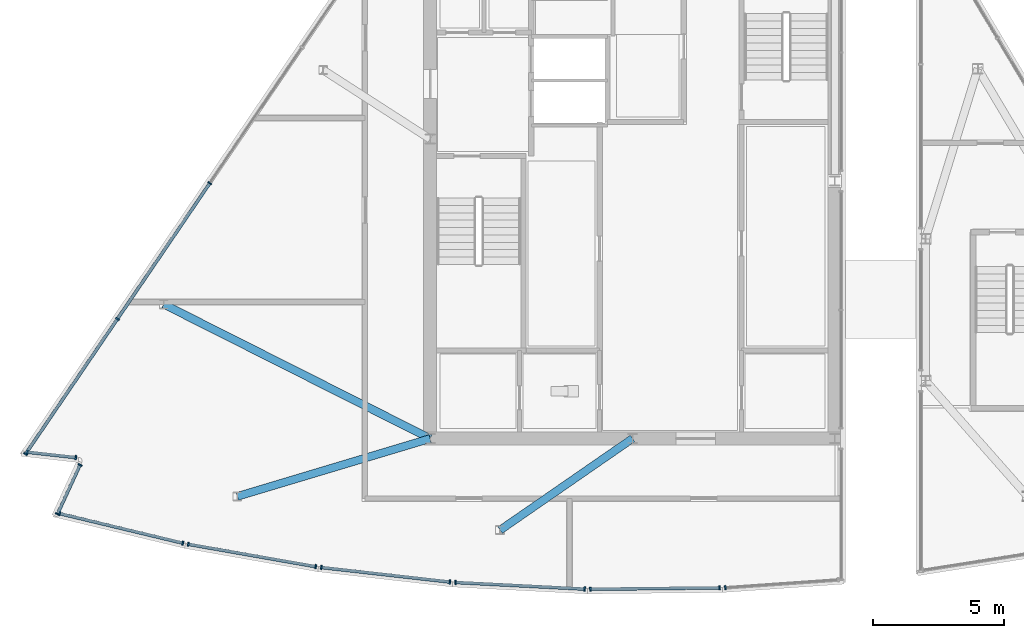
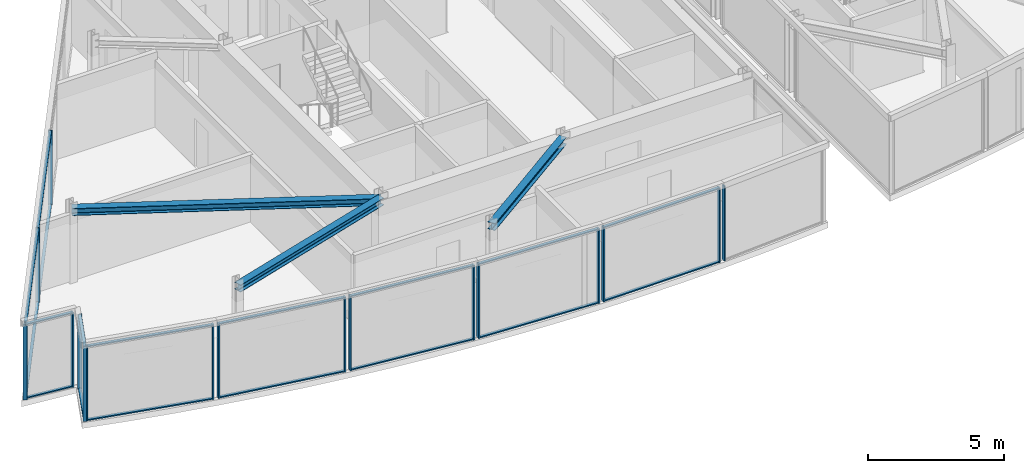
# One storey, part 3 of 15: 36 members, 3 beams, 9 elements without a shape of their own.
"""IFC4 building model written with IfcOpenShell, lengths in metres."""

from ifc_helpers import new_model, si_unit, direction, frame, origin, origin_2d, place, context, subcontext, project, spatial, rectangle, i_section, extrude, material, material_profile, profile_set, type_object, element, aggregate, save


model = new_model("IFC4")

# Units and contexts
model_context = context("Model", 3, precision=1e-05, world=origin(), true_north=direction((0.0, 1.0)))
body_context = subcontext(model_context, "Body", "Model", "MODEL_VIEW")
ifc_project = project(units=[si_unit("LENGTHUNIT", "METRE"), si_unit("AREAUNIT", "SQUARE_METRE"), si_unit("VOLUMEUNIT", "CUBIC_METRE"), si_unit("PLANEANGLEUNIT", "RADIAN"), si_unit("MASSUNIT", "GRAM", prefix="KILO")], contexts=[model_context])

# Site, building, storey
site_placement = place(None, origin())
site = spatial("IfcSite", under=ifc_project, at=site_placement, CompositionType="ELEMENT")
building_placement = place(site_placement, origin())
building = spatial("IfcBuilding", under=site, at=building_placement, Name="Savorim Split Tower", CompositionType="ELEMENT")
storey_placement = place(building_placement, frame((0.0, 0.0, 301.199951171875)))
storey = spatial("IfcBuildingStorey", under=building, at=storey_placement, Name="Crown L80 Plant", CompositionType="ELEMENT", Elevation=301.199951171875)

# Beams
ifc_material_1 = material(Name="Steel S355", Category="steel")
ifc_material_profile_1 = material_profile(ifc_material_1, i_section(OverallWidth=0.300048828125, OverallDepth=0.320068359375, WebThickness=0.011474609375, FlangeThickness=0.0205078125, FilletRadius=0.027099609375, at=origin_2d()), Name="HEB 320")
ifc_profile_set_1 = profile_set([ifc_material_profile_1], Name="Steel S355")
beam_type = type_object("IfcBeamType", Name="BM-PRI-HEB320", PredefinedType="BEAM", material=ifc_profile_set_1)
beam_1_placement = place(storey_placement, frame((-15.037109375, -11.6015625, 3.179931640625), z_axis=(0.957807862617, 0.287409287096, 0.0), x_axis=(-0.287409287096, 0.957807862617, 0.0)))
element("IfcBeam", 1, at=beam_1_placement, inside=storey, type_object=beam_type, Name="Crown L80 Plant West Crown Beam WBG-1", PredefinedType="BEAM", context=body_context, shape_type="SweptSolid", body=[
    extrude(i_section(OverallWidth=0.300048828125, OverallDepth=0.320068359375, WebThickness=0.011474609375, FlangeThickness=0.0205078125, FilletRadius=0.027099609375, at=origin_2d()), origin(), (0.0, 0.0, 1.0), 7.660400390625),
])
beam_2_placement = place(storey_placement, frame((-5.039794921875, -12.885009765625, 3.179931640625), z_axis=(0.82249616242, 0.568770659233, 0.0), x_axis=(-0.568770659233, 0.82249616242, 0.0)))
element("IfcBeam", 2, at=beam_2_placement, inside=storey, type_object=beam_type, Name="Crown L80 Plant West Crown Beam WBG-2", PredefinedType="BEAM", context=body_context, shape_type="SweptSolid", body=[
    extrude(i_section(OverallWidth=0.300048828125, OverallDepth=0.320068359375, WebThickness=0.011474609375, FlangeThickness=0.0205078125, FilletRadius=0.027099609375, at=origin_2d()), origin(), (0.0, 0.0, 1.0), 6.12744140625),
])
beam_3_placement = place(storey_placement, frame((-17.84033203125, -4.288818359375, 3.179931640625), z_axis=(0.892982084202, -0.450092209769, 0.0), x_axis=(0.450092209769, 0.892982084202, 0.0)))
element("IfcBeam", 3, at=beam_3_placement, inside=storey, type_object=beam_type, Name="Crown L80 Plant West Crown Beam WBG-3", PredefinedType="BEAM", context=body_context, shape_type="SweptSolid", body=[
    extrude(i_section(OverallWidth=0.300048828125, OverallDepth=0.320068359375, WebThickness=0.011474609375, FlangeThickness=0.0205078125, FilletRadius=0.027099609375, at=origin_2d()), origin(), (0.0, 0.0, 1.0), 11.355712890625),
])

# Curtain wall, members
ifc_material_2 = material(Name="Dark Ceramic-Fritted Insulated Glass", Category="glass")
curtain_wall_type = type_object("IfcCurtainWallType", Name="CW-CROWN-CREST", PredefinedType="NOTDEFINED", material=ifc_material_2)
curtain_wall_1_placement = place(storey_placement, origin())
curtain_wall_1 = element("IfcCurtainWall", 4, at=curtain_wall_1_placement, inside=storey, type_object=curtain_wall_type, Name="Crown L80 Plant Curtain Wall CW-Crown-L80-Plant-W5A", PredefinedType="NOTDEFINED")
ifc_material_3 = material(Name="Charcoal Anodised Aluminium", Category="aluminium")
ifc_material_profile_2 = material_profile(ifc_material_3, rectangle(XDim=0.159912109375, YDim=0.06005859375, at=origin_2d()), Name="ALU-M 160x60")
ifc_profile_set_2 = profile_set([ifc_material_profile_2], Name="Charcoal Anodised Aluminium")
member_type_1 = type_object("IfcMemberType", Name="CWM-160x60", PredefinedType="MULLION", material=ifc_profile_set_2)
member_1_placement = place(storey_placement, frame((-16.08740234375, 0.319580078125, 0.0), z_axis=(0.0, 0.0, 1.0), x_axis=(0.826821213744, -0.562464826014, 0.0)))
member_1 = element("IfcMember", 5, at=member_1_placement, type_object=member_type_1, Name="CW-07 mullion 5", PredefinedType="MULLION", context=body_context, shape_type="SweptSolid", body=[
    extrude(rectangle(XDim=0.159912109375, YDim=0.06005859375, at=origin_2d()), origin(), (0.0, 0.0, 1.0), 3.340087890625),
])
member_2_placement = place(storey_placement, frame((-19.60205078125, -4.8466796875, 0.0), z_axis=(0.0, 0.0, 1.0), x_axis=(0.826821213744, -0.562464826014, 0.0)))
member_2 = element("IfcMember", 6, at=member_2_placement, type_object=member_type_1, Name="CW-07 mullion 6", PredefinedType="MULLION", context=body_context, shape_type="SweptSolid", body=[
    extrude(rectangle(XDim=0.159912109375, YDim=0.06005859375, at=origin_2d()), origin(), (0.0, 0.0, 1.0), 3.340087890625),
])
member_3_placement = place(storey_placement, frame((-23.099609375, -9.98828125, 0.0), z_axis=(0.0, 0.0, 1.0), x_axis=(0.826821213744, -0.562464826014, 0.0)))
member_3 = element("IfcMember", 7, at=member_3_placement, type_object=member_type_1, Name="CW-07 mullion 7", PredefinedType="MULLION", context=body_context, shape_type="SweptSolid", body=[
    extrude(rectangle(XDim=0.159912109375, YDim=0.06005859375, at=origin_2d()), origin(), (0.0, 0.0, 1.0), 3.340087890625),
])

curtain_wall_2_placement = place(storey_placement, origin())
curtain_wall_2 = element("IfcCurtainWall", 8, at=curtain_wall_2_placement, inside=storey, type_object=curtain_wall_type, Name="Crown L80 Plant Curtain Wall CW-Crown-L80-Plant-W6A", PredefinedType="NOTDEFINED")
member_4_placement = place(storey_placement, frame((-23.03369140625, -9.91650390625, 0.0), z_axis=(0.0, 0.0, 1.0), x_axis=(0.110957272158, 0.993825177662, 0.0)))
member_4 = element("IfcMember", 9, at=member_4_placement, type_object=member_type_1, Name="CW-07 mullion 1", PredefinedType="MULLION", context=body_context, shape_type="SweptSolid", body=[
    extrude(rectangle(XDim=0.159912109375, YDim=0.06005859375, at=origin_2d()), origin(), (0.0, 0.0, 1.0), 3.340087890625),
])
member_5_placement = place(storey_placement, frame((-21.1845703125, -10.122802734375, 0.0), z_axis=(0.0, 0.0, 1.0), x_axis=(0.110957272158, 0.993825177662, 0.0)))
member_5 = element("IfcMember", 10, at=member_5_placement, type_object=member_type_1, Name="CW-07 mullion 2", PredefinedType="MULLION", context=body_context, shape_type="SweptSolid", body=[
    extrude(rectangle(XDim=0.159912109375, YDim=0.06005859375, at=origin_2d()), origin(), (0.0, 0.0, 1.0), 3.340087890625),
])

curtain_wall_3_placement = place(storey_placement, origin())
curtain_wall_3 = element("IfcCurtainWall", 11, at=curtain_wall_3_placement, inside=storey, type_object=curtain_wall_type, Name="Crown L80 Plant Curtain Wall CW-Crown-L80-Plant-W7A", PredefinedType="NOTDEFINED")
member_6_placement = place(storey_placement, frame((-21.025634765625, -10.404296875, 0.0), z_axis=(0.0, 0.0, 1.0), x_axis=(0.908683146022, -0.417486455033, 0.0)))
member_6 = element("IfcMember", 12, at=member_6_placement, type_object=member_type_1, Name="CW-07 mullion 1", PredefinedType="MULLION", context=body_context, shape_type="SweptSolid", body=[
    extrude(rectangle(XDim=0.159912109375, YDim=0.06005859375, at=origin_2d()), origin(), (0.0, 0.0, 1.0), 3.340087890625),
])
member_7_placement = place(storey_placement, frame((-21.883544921875, -12.271728515625, 0.0), z_axis=(0.0, 0.0, 1.0), x_axis=(0.908683146022, -0.417486455033, 0.0)))
member_7 = element("IfcMember", 13, at=member_7_placement, type_object=member_type_1, Name="CW-07 mullion 2", PredefinedType="MULLION", context=body_context, shape_type="SweptSolid", body=[
    extrude(rectangle(XDim=0.159912109375, YDim=0.06005859375, at=origin_2d()), origin(), (0.0, 0.0, 1.0), 3.340087890625),
])

curtain_wall_4_placement = place(storey_placement, origin())
curtain_wall_4 = element("IfcCurtainWall", 14, at=curtain_wall_4_placement, inside=storey, type_object=curtain_wall_type, Name="Crown L80 Plant Curtain Wall CW-Crown-L80-Plant-W8A", PredefinedType="NOTDEFINED")
member_8_placement = place(storey_placement, frame((-21.80126953125, -12.255126953125, 0.0), z_axis=(0.0, 0.0, 1.0), x_axis=(0.233156731313, 0.972439169637, 0.0)))
member_8 = element("IfcMember", 15, at=member_8_placement, type_object=member_type_1, Name="CW-07 mullion 1", PredefinedType="MULLION", context=body_context, shape_type="SweptSolid", body=[
    extrude(rectangle(XDim=0.159912109375, YDim=0.06005859375, at=origin_2d()), origin(), (0.0, 0.0, 1.0), 3.340087890625),
])
member_9_placement = place(storey_placement, frame((-17.11376953125, -13.37890625, 0.0), z_axis=(0.0, 0.0, 1.0), x_axis=(0.233156731313, 0.972439169637, 0.0)))
member_9 = element("IfcMember", 16, at=member_9_placement, type_object=member_type_1, Name="CW-07 mullion 2", PredefinedType="MULLION", context=body_context, shape_type="SweptSolid", body=[
    extrude(rectangle(XDim=0.159912109375, YDim=0.06005859375, at=origin_2d()), origin(), (0.0, 0.0, 1.0), 3.340087890625),
])

curtain_wall_5_placement = place(storey_placement, origin())
curtain_wall_5 = element("IfcCurtainWall", 17, at=curtain_wall_5_placement, inside=storey, type_object=curtain_wall_type, Name="Crown L80 Plant Curtain Wall CW-Crown-L80-Plant-W9A", PredefinedType="NOTDEFINED")
member_10_placement = place(storey_placement, frame((-16.90576171875, -13.422119140625, 0.0), z_axis=(0.0, 0.0, 1.0), x_axis=(0.173060975402, 0.984911112128, 0.0)))
member_10 = element("IfcMember", 18, at=member_10_placement, type_object=member_type_1, Name="CW-07 mullion 1", PredefinedType="MULLION", context=body_context, shape_type="SweptSolid", body=[
    extrude(rectangle(XDim=0.159912109375, YDim=0.06005859375, at=origin_2d()), origin(), (0.0, 0.0, 1.0), 3.340087890625),
])
member_11_placement = place(storey_placement, frame((-12.054443359375, -14.274658203125, 0.0), z_axis=(0.0, 0.0, 1.0), x_axis=(0.173060975402, 0.984911112128, 0.0)))
member_11 = element("IfcMember", 19, at=member_11_placement, type_object=member_type_1, Name="CW-07 mullion 2", PredefinedType="MULLION", context=body_context, shape_type="SweptSolid", body=[
    extrude(rectangle(XDim=0.159912109375, YDim=0.06005859375, at=origin_2d()), origin(), (0.0, 0.0, 1.0), 3.340087890625),
])

curtain_wall_6_placement = place(storey_placement, origin())
curtain_wall_6 = element("IfcCurtainWall", 20, at=curtain_wall_6_placement, inside=storey, type_object=curtain_wall_type, Name="Crown L80 Plant Curtain Wall CW-Crown-L80-Plant-W10A", PredefinedType="NOTDEFINED")
member_12_placement = place(storey_placement, frame((-11.843994140625, -14.304931640625, 0.0), z_axis=(0.0, 0.0, 1.0), x_axis=(0.112326840679, 0.9936713143, 0.0)))
member_12 = element("IfcMember", 21, at=member_12_placement, type_object=member_type_1, Name="CW-07 mullion 1", PredefinedType="MULLION", context=body_context, shape_type="SweptSolid", body=[
    extrude(rectangle(XDim=0.159912109375, YDim=0.06005859375, at=origin_2d()), origin(), (0.0, 0.0, 1.0), 3.340087890625),
])
member_13_placement = place(storey_placement, frame((-6.94970703125, -14.858154296875, 0.0), z_axis=(0.0, 0.0, 1.0), x_axis=(0.112326840679, 0.9936713143, 0.0)))
member_13 = element("IfcMember", 22, at=member_13_placement, type_object=member_type_1, Name="CW-07 mullion 2", PredefinedType="MULLION", context=body_context, shape_type="SweptSolid", body=[
    extrude(rectangle(XDim=0.159912109375, YDim=0.06005859375, at=origin_2d()), origin(), (0.0, 0.0, 1.0), 3.340087890625),
])

curtain_wall_7_placement = place(storey_placement, origin())
curtain_wall_7 = element("IfcCurtainWall", 23, at=curtain_wall_7_placement, inside=storey, type_object=curtain_wall_type, Name="Crown L80 Plant Curtain Wall CW-Crown-L80-Plant-W11A", PredefinedType="NOTDEFINED")
member_14_placement = place(storey_placement, frame((-6.738037109375, -14.87548828125, 0.0), z_axis=(0.0, 0.0, 1.0), x_axis=(0.051149091619, 0.99869102851, 0.0)))
member_14 = element("IfcMember", 24, at=member_14_placement, type_object=member_type_1, Name="CW-07 mullion 1", PredefinedType="MULLION", context=body_context, shape_type="SweptSolid", body=[
    extrude(rectangle(XDim=0.159912109375, YDim=0.06005859375, at=origin_2d()), origin(), (0.0, 0.0, 1.0), 3.340087890625),
])
member_15_placement = place(storey_placement, frame((-1.819091796875, -15.12744140625, 0.0), z_axis=(0.0, 0.0, 1.0), x_axis=(0.051149091619, 0.99869102851, 0.0)))
member_15 = element("IfcMember", 25, at=member_15_placement, type_object=member_type_1, Name="CW-07 mullion 2", PredefinedType="MULLION", context=body_context, shape_type="SweptSolid", body=[
    extrude(rectangle(XDim=0.159912109375, YDim=0.06005859375, at=origin_2d()), origin(), (0.0, 0.0, 1.0), 3.340087890625),
])

curtain_wall_8_placement = place(storey_placement, origin())
curtain_wall_8 = element("IfcCurtainWall", 26, at=curtain_wall_8_placement, inside=storey, type_object=curtain_wall_type, Name="Crown L80 Plant Curtain Wall CW-Crown-L80-Plant-W12A", PredefinedType="NOTDEFINED")
member_16_placement = place(storey_placement, frame((-1.6064453125, -15.131591796875, 0.0), z_axis=(0.0, 0.0, 1.0), x_axis=(-0.010229746323, 0.999947674776, 0.0)))
member_16 = element("IfcMember", 27, at=member_16_placement, type_object=member_type_1, Name="CW-07 mullion 1", PredefinedType="MULLION", context=body_context, shape_type="SweptSolid", body=[
    extrude(rectangle(XDim=0.159912109375, YDim=0.06005859375, at=origin_2d()), origin(), (0.0, 0.0, 1.0), 3.340087890625),
])
member_17_placement = place(storey_placement, frame((3.318603515625, -15.081298828125, 0.0), z_axis=(0.0, 0.0, 1.0), x_axis=(-0.010229746323, 0.999947674776, 0.0)))
member_17 = element("IfcMember", 28, at=member_17_placement, type_object=member_type_1, Name="CW-07 mullion 2", PredefinedType="MULLION", context=body_context, shape_type="SweptSolid", body=[
    extrude(rectangle(XDim=0.159912109375, YDim=0.06005859375, at=origin_2d()), origin(), (0.0, 0.0, 1.0), 3.340087890625),
])

# Curtain wall, member
curtain_wall_9_placement = place(storey_placement, origin())
curtain_wall_9 = element("IfcCurtainWall", 29, at=curtain_wall_9_placement, inside=storey, type_object=curtain_wall_type, Name="Crown L80 Plant Curtain Wall CW-Crown-L80-Plant-W13A", PredefinedType="NOTDEFINED")
member_18_placement = place(storey_placement, frame((3.53125, -15.07275390625, 0.0), z_axis=(0.0, 0.0, 1.0), x_axis=(-0.069280764346, 0.997597201125, 0.0)))
member_18 = element("IfcMember", 30, at=member_18_placement, type_object=member_type_1, Name="CW-07 mullion 1", PredefinedType="MULLION", context=body_context, shape_type="SweptSolid", body=[
    extrude(rectangle(XDim=0.159912109375, YDim=0.06005859375, at=origin_2d()), origin(), (0.0, 0.0, 1.0), 3.340087890625),
])
aggregate(curtain_wall_9, [member_18])

# Member
ifc_material_profile_3 = material_profile(ifc_material_3, rectangle(XDim=0.1201171875, YDim=0.050048828125, at=origin_2d()), Name="ALU-T 120x50")
ifc_profile_set_3 = profile_set([ifc_material_profile_3], Name="Charcoal Anodised Aluminium")
member_type_2 = type_object("IfcMemberType", Name="CWT-120x50", PredefinedType="USERDEFINED", material=ifc_profile_set_3)
member_19_placement = place(storey_placement, frame((-16.104248046875, 0.294677734375, 0.025146484375), z_axis=(-0.562460005543, -0.826824492963, 0.0), x_axis=(0.826824492963, -0.562460005543, 0.0)))
member_19 = element("IfcMember", 31, at=member_19_placement, type_object=member_type_2, Name="CW-07 transom 5.1", ObjectType="TRANSOM", PredefinedType="USERDEFINED", context=body_context, shape_type="SweptSolid", body=[
    extrude(rectangle(XDim=0.1201171875, YDim=0.050048828125, at=origin_2d()), origin(), (0.0, 0.0, 1.0), 6.1884765625),
])

member_20_placement = place(storey_placement, frame((-16.104248046875, 0.294677734375, 3.31494140625), z_axis=(-0.562460005543, -0.826824492963, 0.0), x_axis=(0.826824492963, -0.562460005543, 0.0)))
member_20 = element("IfcMember", 32, at=member_20_placement, type_object=member_type_2, Name="CW-07 transom 5.2", ObjectType="TRANSOM", PredefinedType="USERDEFINED", context=body_context, shape_type="SweptSolid", body=[
    extrude(rectangle(XDim=0.1201171875, YDim=0.050048828125, at=origin_2d()), origin(), (0.0, 0.0, 1.0), 6.1884765625),
])

member_21_placement = place(storey_placement, frame((-19.618896484375, -4.87158203125, 0.025146484375), z_axis=(-0.562452059252, -0.826829898494, 0.0), x_axis=(0.826829898494, -0.562452059252, 0.0)))
member_21 = element("IfcMember", 33, at=member_21_placement, type_object=member_type_2, Name="CW-07 transom 6.1", ObjectType="TRANSOM", PredefinedType="USERDEFINED", context=body_context, shape_type="SweptSolid", body=[
    extrude(rectangle(XDim=0.1201171875, YDim=0.050048828125, at=origin_2d()), origin(), (0.0, 0.0, 1.0), 6.158447265625),
])

member_22_placement = place(storey_placement, frame((-19.618896484375, -4.87158203125, 3.31494140625), z_axis=(-0.562452059252, -0.826829898494, 0.0), x_axis=(0.826829898494, -0.562452059252, 0.0)))
member_22 = element("IfcMember", 34, at=member_22_placement, type_object=member_type_2, Name="CW-07 transom 6.2", ObjectType="TRANSOM", PredefinedType="USERDEFINED", context=body_context, shape_type="SweptSolid", body=[
    extrude(rectangle(XDim=0.1201171875, YDim=0.050048828125, at=origin_2d()), origin(), (0.0, 0.0, 1.0), 6.158447265625),
])

aggregate(curtain_wall_1, [member_1, member_2, member_3, member_19, member_20, member_21, member_22])

member_23_placement = place(storey_placement, frame((-23.00390625, -9.919677734375, 0.025146484375), z_axis=(0.993815756426, -0.111041624081, 0.0), x_axis=(0.111041624081, 0.993815756426, 0.0)))
member_23 = element("IfcMember", 35, at=member_23_placement, type_object=member_type_2, Name="CW-07 transom 1.1", ObjectType="TRANSOM", PredefinedType="USERDEFINED", context=body_context, shape_type="SweptSolid", body=[
    extrude(rectangle(XDim=0.1201171875, YDim=0.050048828125, at=origin_2d()), origin(), (0.0, 0.0, 1.0), 1.80078125),
])

member_24_placement = place(storey_placement, frame((-23.00390625, -9.919677734375, 3.31494140625), z_axis=(0.993815756426, -0.111041624081, 0.0), x_axis=(0.111041624081, 0.993815756426, 0.0)))
member_24 = element("IfcMember", 36, at=member_24_placement, type_object=member_type_2, Name="CW-07 transom 1.2", ObjectType="TRANSOM", PredefinedType="USERDEFINED", context=body_context, shape_type="SweptSolid", body=[
    extrude(rectangle(XDim=0.1201171875, YDim=0.050048828125, at=origin_2d()), origin(), (0.0, 0.0, 1.0), 1.80078125),
])

aggregate(curtain_wall_2, [member_4, member_5, member_23, member_24])

member_25_placement = place(storey_placement, frame((-21.0380859375, -10.431640625, 0.025146484375), z_axis=(-0.417451010756, -0.908699429745, 0.0), x_axis=(0.908699429745, -0.417451010756, 0.0)))
member_25 = element("IfcMember", 37, at=member_25_placement, type_object=member_type_2, Name="CW-07 transom 1.1", ObjectType="TRANSOM", PredefinedType="USERDEFINED", context=body_context, shape_type="SweptSolid", body=[
    extrude(rectangle(XDim=0.1201171875, YDim=0.050048828125, at=origin_2d()), origin(), (0.0, 0.0, 1.0), 1.994873046875),
])

member_26_placement = place(storey_placement, frame((-21.0380859375, -10.431640625, 3.31494140625), z_axis=(-0.417451010756, -0.908699429745, 0.0), x_axis=(0.908699429745, -0.417451010756, 0.0)))
member_26 = element("IfcMember", 38, at=member_26_placement, type_object=member_type_2, Name="CW-07 transom 1.2", ObjectType="TRANSOM", PredefinedType="USERDEFINED", context=body_context, shape_type="SweptSolid", body=[
    extrude(rectangle(XDim=0.1201171875, YDim=0.050048828125, at=origin_2d()), origin(), (0.0, 0.0, 1.0), 1.994873046875),
])

aggregate(curtain_wall_3, [member_6, member_7, member_25, member_26])

member_27_placement = place(storey_placement, frame((-21.772216796875, -12.26220703125, 0.025146484375), z_axis=(0.972441277958, -0.233147937851, 0.0), x_axis=(0.233147937851, 0.972441277958, 0.0)))
member_27 = element("IfcMember", 39, at=member_27_placement, type_object=member_type_2, Name="CW-07 transom 1.1", ObjectType="TRANSOM", PredefinedType="USERDEFINED", context=body_context, shape_type="SweptSolid", body=[
    extrude(rectangle(XDim=0.1201171875, YDim=0.050048828125, at=origin_2d()), origin(), (0.0, 0.0, 1.0), 4.76025390625),
])

member_28_placement = place(storey_placement, frame((-21.772216796875, -12.26220703125, 3.31494140625), z_axis=(0.972441277958, -0.233147937851, 0.0), x_axis=(0.233147937851, 0.972441277958, 0.0)))
member_28 = element("IfcMember", 40, at=member_28_placement, type_object=member_type_2, Name="CW-07 transom 1.2", ObjectType="TRANSOM", PredefinedType="USERDEFINED", context=body_context, shape_type="SweptSolid", body=[
    extrude(rectangle(XDim=0.1201171875, YDim=0.050048828125, at=origin_2d()), origin(), (0.0, 0.0, 1.0), 4.76025390625),
])

aggregate(curtain_wall_4, [member_8, member_9, member_27, member_28])

member_29_placement = place(storey_placement, frame((-16.876220703125, -13.427490234375, 0.025146484375), z_axis=(0.984911593719, -0.173058234588, 0.0), x_axis=(0.173058234588, 0.984911593719, 0.0)))
member_29 = element("IfcMember", 41, at=member_29_placement, type_object=member_type_2, Name="CW-07 transom 1.1", ObjectType="TRANSOM", PredefinedType="USERDEFINED", context=body_context, shape_type="SweptSolid", body=[
    extrude(rectangle(XDim=0.1201171875, YDim=0.050048828125, at=origin_2d()), origin(), (0.0, 0.0, 1.0), 4.86572265625),
])

member_30_placement = place(storey_placement, frame((-16.876220703125, -13.427490234375, 3.31494140625), z_axis=(0.984911593719, -0.173058234588, 0.0), x_axis=(0.173058234588, 0.984911593719, 0.0)))
member_30 = element("IfcMember", 42, at=member_30_placement, type_object=member_type_2, Name="CW-07 transom 1.2", ObjectType="TRANSOM", PredefinedType="USERDEFINED", context=body_context, shape_type="SweptSolid", body=[
    extrude(rectangle(XDim=0.1201171875, YDim=0.050048828125, at=origin_2d()), origin(), (0.0, 0.0, 1.0), 4.86572265625),
])

aggregate(curtain_wall_5, [member_10, member_11, member_29, member_30])

member_31_placement = place(storey_placement, frame((-11.814208984375, -14.308349609375, 0.025146484375), z_axis=(0.993673905175, -0.112303918785, 0.0), x_axis=(0.112303918785, 0.993673905175, 0.0)))
member_31 = element("IfcMember", 43, at=member_31_placement, type_object=member_type_2, Name="CW-07 transom 1.1", ObjectType="TRANSOM", PredefinedType="USERDEFINED", context=body_context, shape_type="SweptSolid", body=[
    extrude(rectangle(XDim=0.1201171875, YDim=0.050048828125, at=origin_2d()), origin(), (0.0, 0.0, 1.0), 4.865234375),
])

member_32_placement = place(storey_placement, frame((-11.814208984375, -14.308349609375, 3.31494140625), z_axis=(0.993673905175, -0.112303918785, 0.0), x_axis=(0.112303918785, 0.993673905175, 0.0)))
member_32 = element("IfcMember", 44, at=member_32_placement, type_object=member_type_2, Name="CW-07 transom 1.2", ObjectType="TRANSOM", PredefinedType="USERDEFINED", context=body_context, shape_type="SweptSolid", body=[
    extrude(rectangle(XDim=0.1201171875, YDim=0.050048828125, at=origin_2d()), origin(), (0.0, 0.0, 1.0), 4.865234375),
])

aggregate(curtain_wall_6, [member_12, member_13, member_31, member_32])

member_33_placement = place(storey_placement, frame((-6.7080078125, -14.876953125, 0.025146484375), z_axis=(0.998691806263, -0.051133903657, 0.0), x_axis=(0.051133903657, 0.998691806263, 0.0)))
member_33 = element("IfcMember", 45, at=member_33_placement, type_object=member_type_2, Name="CW-07 transom 1.1", ObjectType="TRANSOM", PredefinedType="USERDEFINED", context=body_context, shape_type="SweptSolid", body=[
    extrude(rectangle(XDim=0.1201171875, YDim=0.050048828125, at=origin_2d()), origin(), (0.0, 0.0, 1.0), 4.865234375),
])

member_34_placement = place(storey_placement, frame((-6.7080078125, -14.876953125, 3.31494140625), z_axis=(0.998691806263, -0.051133903657, 0.0), x_axis=(0.051133903657, 0.998691806263, 0.0)))
member_34 = element("IfcMember", 46, at=member_34_placement, type_object=member_type_2, Name="CW-07 transom 1.2", ObjectType="TRANSOM", PredefinedType="USERDEFINED", context=body_context, shape_type="SweptSolid", body=[
    extrude(rectangle(XDim=0.1201171875, YDim=0.050048828125, at=origin_2d()), origin(), (0.0, 0.0, 1.0), 4.865234375),
])

aggregate(curtain_wall_7, [member_14, member_15, member_33, member_34])

member_35_placement = place(storey_placement, frame((-1.576416015625, -15.13134765625, 0.025146484375), z_axis=(0.999947607541, 0.010236316336, 0.0), x_axis=(-0.010236316336, 0.999947607541, 0.0)))
member_35 = element("IfcMember", 47, at=member_35_placement, type_object=member_type_2, Name="CW-07 transom 1.1", ObjectType="TRANSOM", PredefinedType="USERDEFINED", context=body_context, shape_type="SweptSolid", body=[
    extrude(rectangle(XDim=0.1201171875, YDim=0.050048828125, at=origin_2d()), origin(), (0.0, 0.0, 1.0), 4.865478515625),
])

member_36_placement = place(storey_placement, frame((-1.576416015625, -15.13134765625, 3.31494140625), z_axis=(0.999947607541, 0.010236316336, 0.0), x_axis=(-0.010236316336, 0.999947607541, 0.0)))
member_36 = element("IfcMember", 48, at=member_36_placement, type_object=member_type_2, Name="CW-07 transom 1.2", ObjectType="TRANSOM", PredefinedType="USERDEFINED", context=body_context, shape_type="SweptSolid", body=[
    extrude(rectangle(XDim=0.1201171875, YDim=0.050048828125, at=origin_2d()), origin(), (0.0, 0.0, 1.0), 4.865478515625),
])

aggregate(curtain_wall_8, [member_16, member_17, member_35, member_36])

save(model, "model.ifc")
